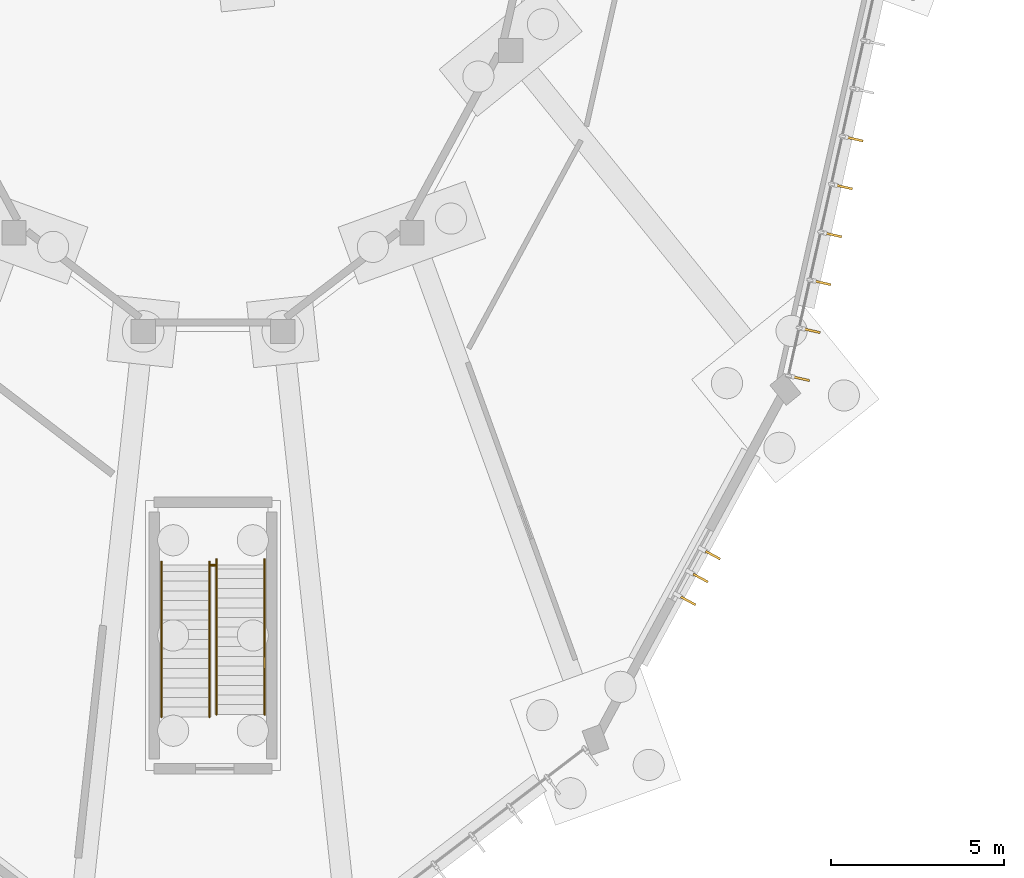
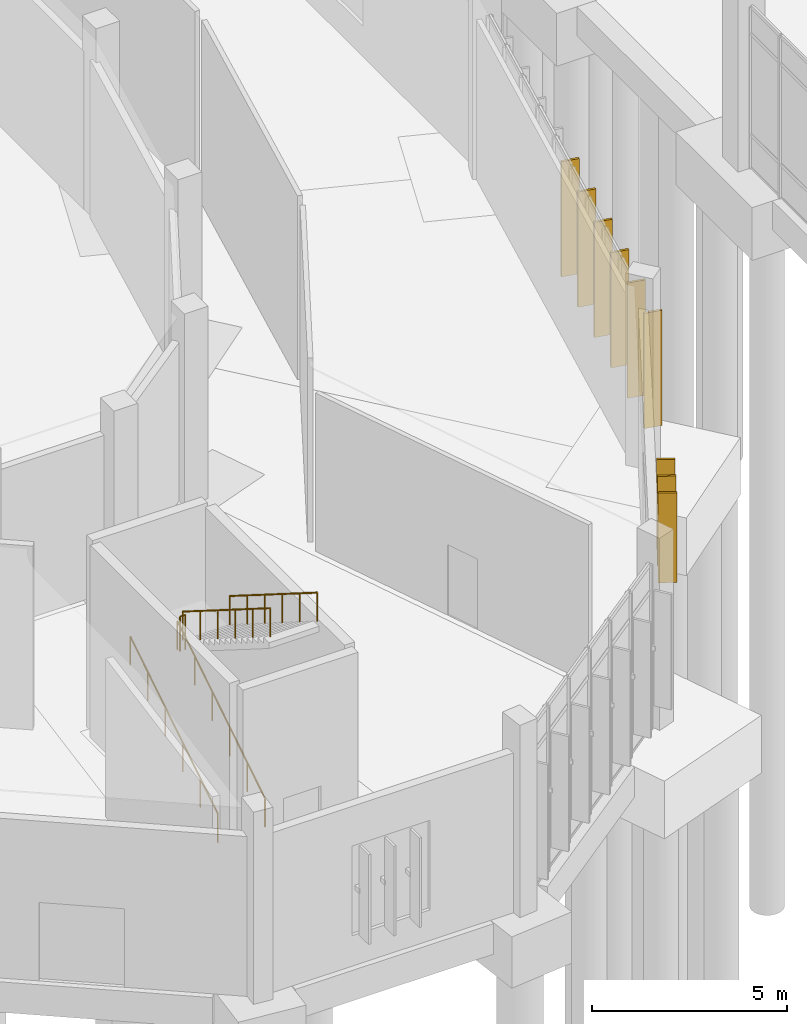
# One storey, part 127 of 140: 9 shading devices, 5 railings.
"""IFC4 building model written with IfcOpenShell, lengths in metres."""

from ifc_helpers import new_model, si_unit, direction, frame, origin, origin_2d, place, context, subcontext, project, spatial, rectangle, circle, extrude, material, layer, layer_set, type_object, element, save


model = new_model("IFC4")

# Units and contexts
model_context = context("Model", 3, precision=1e-05, world=origin(), true_north=direction((0.0, 1.0)))
body_context = subcontext(model_context, "Body", "Model", "MODEL_VIEW")
ifc_project = project(units=[si_unit("LENGTHUNIT", "METRE"), si_unit("AREAUNIT", "SQUARE_METRE"), si_unit("VOLUMEUNIT", "CUBIC_METRE"), si_unit("PLANEANGLEUNIT", "RADIAN"), si_unit("MASSUNIT", "GRAM", prefix="KILO")], contexts=[model_context])

# Site, building, storey
site_placement = place(None, origin())
site = spatial("IfcSite", under=ifc_project, at=site_placement, CompositionType="ELEMENT")
building_placement = place(site_placement, origin())
building = spatial("IfcBuilding", under=site, at=building_placement, Name="Corvandel Quay Wholesale Market", CompositionType="ELEMENT")
storey_placement = place(building_placement, origin())
storey = spatial("IfcBuildingStorey", under=building, at=storey_placement, Name="L00", CompositionType="ELEMENT", Elevation=0.0)

# Railings
ifc_material_1 = material(Name="Painted galvanised tubular steel", Category="steel")
ifc_layer_1 = layer(ifc_material_1, 0.054931640625)
ifc_layer_set_1 = layer_set([ifc_layer_1], Name="Painted galvanised tubular steel")
railing_type_1 = type_object("IfcRailingType", Name="Stairwell Inner Guard Railing GR02 1100mm", PredefinedType="GUARDRAIL", material=ifc_layer_set_1)
railing_placement = place(storey_placement, frame((194.419921875, 34.530029296875, 3.0)))
element("IfcRailing", 1, at=railing_placement, inside=storey, type_object=railing_type_1, Name="Stair Landing Well Guard 0084", PredefinedType="GUARDRAIL", context=body_context, shape_type="SweptSolid", body=[
    extrude(circle(Radius=0.02392578125, at=origin_2d()), frame((0.0, 0.0, 1.076171875), z_axis=(1.0, 0.0, 0.0), x_axis=(0.0, 1.0, 0.0)), (0.0, 0.0, 1.0), 0.16015625),
    extrude(circle(Radius=0.02099609375, at=origin_2d()), origin(), (0.0, 0.0, 1.0), 1.052001953125),
    extrude(circle(Radius=0.02099609375, at=origin_2d()), frame((0.16015625, 0.0, 0.0)), (0.0, 0.0, 1.0), 1.052001953125),
])
ifc_material_2 = material(Name="Brushed austenitic stainless steel Grade 316", Category="steel")
ifc_layer_2 = layer(ifc_material_2, 0.048095703125)
ifc_layer_set_2 = layer_set([ifc_layer_2], Name="Brushed austenitic stainless steel Grade 316")
railing_type_2 = type_object("IfcRailingType", Name="Tubular Stainless Stair Handrail HR01 915mm", PredefinedType="HANDRAIL", material=ifc_layer_set_2)
for number, where, name in (
    (2, (193.010009765625, 30.14990234375, 0.176513671875), "Stair Handrail 0080"),
    (3, (194.39990234375, 30.14990234375, 0.176513671875), "Stair Handrail 0081"),
):
    element("IfcRailing", number, at=place(storey_placement, frame(where)), inside=storey, type_object=railing_type_2, Name=name, PredefinedType="HANDRAIL", context=body_context, shape_type="SweptSolid", body=[
        extrude(circle(Radius=0.02392578125, at=origin_2d()), frame((0.0, 0.0, 0.89111328125), z_axis=(0.0, 0.845997938375, 0.533186166611), x_axis=(-1.0, 0.0, 0.0)), (0.0, 0.0, 1.0), 5.29541015625),
        extrude(circle(Radius=0.02099609375, at=origin_2d()), origin(), (0.0, 0.0, 1.0), 0.866943359375),
        extrude(circle(Radius=0.02099609375, at=origin_2d()), frame((0.0, 0.89599609375, 0.564697265625)), (0.0, 0.0, 1.0), 0.866943359375),
        extrude(circle(Radius=0.02099609375, at=origin_2d()), frame((0.0, 1.7919921875, 1.12939453125)), (0.0, 0.0, 1.0), 0.866943359375),
        extrude(circle(Radius=0.02099609375, at=origin_2d()), frame((0.0, 2.68798828125, 1.694091796875)), (0.0, 0.0, 1.0), 0.866943359375),
        extrude(circle(Radius=0.02099609375, at=origin_2d()), frame((0.0, 3.583984375, 2.2587890625)), (0.0, 0.0, 1.0), 0.866943359375),
        extrude(circle(Radius=0.02099609375, at=origin_2d()), frame((0.0, 4.47998046875, 2.823486328125)), (0.0, 0.0, 1.0), 0.866943359375),
    ])
for number, where, name in (
    (4, (194.60009765625, 34.699951171875, 3.176513671875), "Stair Handrail 0082"),
    (5, (195.989990234375, 34.699951171875, 3.176513671875), "Stair Handrail 0083"),
):
    element("IfcRailing", number, at=place(storey_placement, frame(where)), inside=storey, type_object=railing_type_2, Name=name, PredefinedType="HANDRAIL", context=body_context, shape_type="SweptSolid", body=[
        extrude(circle(Radius=0.02392578125, at=origin_2d()), frame((0.0, 0.0, 0.89111328125), z_axis=(0.0, -0.845997938375, 0.533186166611), x_axis=(1.0, 0.0, 0.0)), (0.0, 0.0, 1.0), 5.29541015625),
        extrude(circle(Radius=0.02099609375, at=origin_2d()), origin(), (0.0, 0.0, 1.0), 0.866943359375),
        extrude(circle(Radius=0.02099609375, at=origin_2d()), frame((0.0, -0.89599609375, 0.564697265625)), (0.0, 0.0, 1.0), 0.866943359375),
        extrude(circle(Radius=0.02099609375, at=origin_2d()), frame((0.0, -1.7919921875, 1.12939453125)), (0.0, 0.0, 1.0), 0.866943359375),
        extrude(circle(Radius=0.02099609375, at=origin_2d()), frame((0.0, -2.68798828125, 1.694091796875)), (0.0, 0.0, 1.0), 0.866943359375),
        extrude(circle(Radius=0.02099609375, at=origin_2d()), frame((0.0, -3.583984375, 2.2587890625)), (0.0, 0.0, 1.0), 0.866943359375),
        extrude(circle(Radius=0.02099609375, at=origin_2d()), frame((0.0, -4.47998046875, 2.823486328125)), (0.0, 0.0, 1.0), 0.866943359375),
    ])

# Shading devices
ifc_material_3 = material(Name="Bronze anodised extruded aluminium 6063-T6", Category="aluminium")
shading_device_type = type_object("IfcShadingDeviceType", Name="Vertical Anodised Bronze Solar Fin FN01 480mm", PredefinedType="JALOUSIE", material=ifc_material_3)
for number, where, z_axis, x_axis, name in (
    (6, (208.22314453125, 33.5, 0.9501953125), (0.0, 0.0, 1.0), (-0.879316310191, 0.476238203668, 0.0), "Solar Fin 0490"),
    (7, (208.580322265625, 34.159423828125, 0.9501953125), (0.0, 0.0, 1.0), (-0.879316310191, 0.476238203668, 0.0), "Solar Fin 0491"),
    (8, (208.9375, 34.819091796875, 0.9501953125), (0.0, 0.0, 1.0), (-0.879316310191, 0.476238203668, 0.0), "Solar Fin 0492"),
):
    element("IfcShadingDevice", number, at=place(storey_placement, frame(where, z_axis=z_axis, x_axis=x_axis)), inside=storey, type_object=shading_device_type, Name=name, PredefinedType="JALOUSIE", context=body_context, shape_type="SweptSolid", body=[
        extrude(rectangle(XDim=0.47998046875, YDim=0.06494140625, at=origin_2d()), origin(), (0.0, 0.0, 1.0), 2.800048828125),
    ])
for number, where, z_axis, x_axis, name in (
    (9, (211.489501953125, 39.9150390625, 0.77490234375), (0.0, 0.0, 1.0), (-0.975726024471, 0.218994806262, 0.0), "Solar Fin 0504"),
    (10, (211.7998046875, 41.298583984375, 0.77490234375), (0.0, 0.0, 1.0), (-0.975726024471, 0.218994806262, 0.0), "Solar Fin 0505"),
    (11, (212.110107421875, 42.681884765625, 0.77490234375), (0.0, 0.0, 1.0), (-0.975726024471, 0.218994806262, 0.0), "Solar Fin 0506"),
    (12, (212.420654296875, 44.065185546875, 0.77490234375), (0.0, 0.0, 1.0), (-0.975726024471, 0.218994806262, 0.0), "Solar Fin 0507"),
    (13, (212.731201171875, 45.448486328125, 0.77490234375), (0.0, 0.0, 1.0), (-0.975726024471, 0.218994806262, 0.0), "Solar Fin 0508"),
    (14, (213.04150390625, 46.83203125, 0.77490234375), (0.0, 0.0, 1.0), (-0.975726024471, 0.218994806262, 0.0), "Solar Fin 0509"),
):
    element("IfcShadingDevice", number, at=place(storey_placement, frame(where, z_axis=z_axis, x_axis=x_axis)), inside=storey, type_object=shading_device_type, Name=name, PredefinedType="JALOUSIE", context=body_context, shape_type="SweptSolid", body=[
        extrude(rectangle(XDim=0.47998046875, YDim=0.06494140625, at=origin_2d()), origin(), (0.0, 0.0, 1.0), 3.60009765625),
    ])

save(model, "model.ifc")
